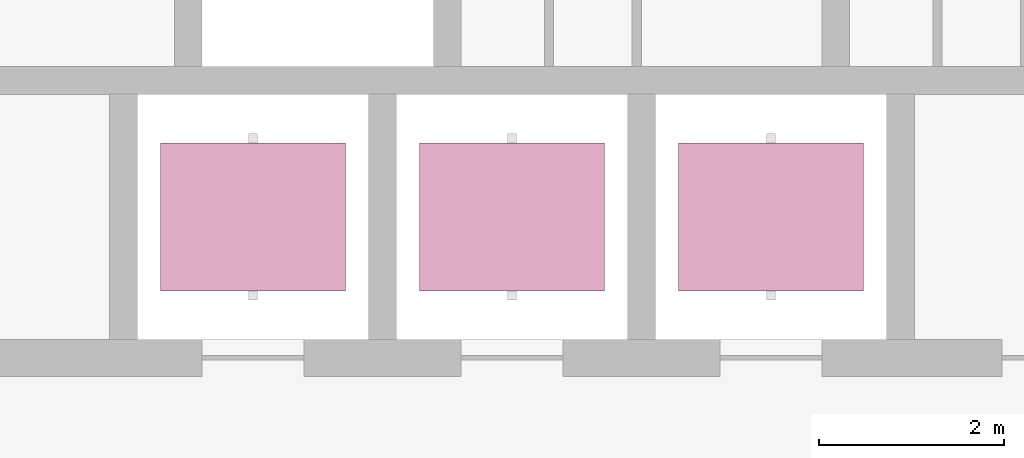
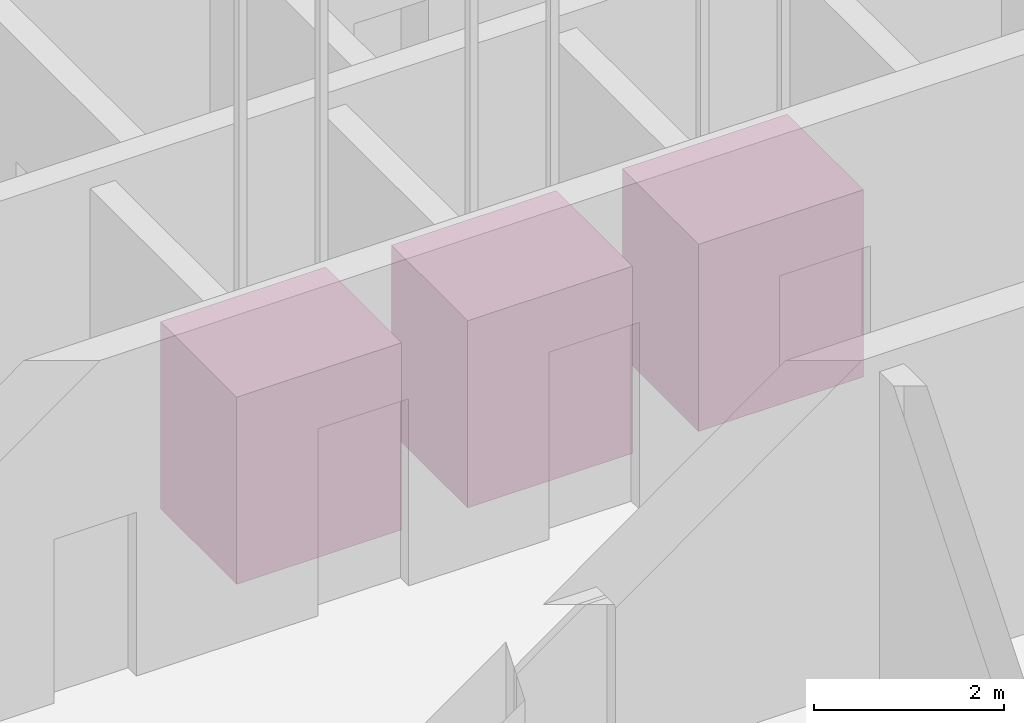
# One storey, part 14 of 20: 3 transport elements.
"""IFC4 building model written with IfcOpenShell, lengths in metres."""

from ifc_helpers import new_model, si_unit, direction, frame, origin, origin_2d, place, context, subcontext, project, spatial, rectangle, extrude, material, type_object, element, save


model = new_model("IFC4")

# Units and contexts
model_context = context("Model", 3, precision=1e-05, world=origin(), true_north=direction((0.0, 1.0)))
body_context = subcontext(model_context, "Body", "Model", "MODEL_VIEW")
ifc_project = project(units=[si_unit("LENGTHUNIT", "METRE"), si_unit("AREAUNIT", "SQUARE_METRE"), si_unit("VOLUMEUNIT", "CUBIC_METRE"), si_unit("PLANEANGLEUNIT", "RADIAN"), si_unit("MASSUNIT", "GRAM", prefix="KILO")], contexts=[model_context])

# Site, building, storey
site_placement = place(None, origin())
site = spatial("IfcSite", under=ifc_project, at=site_placement, CompositionType="ELEMENT")
building_placement = place(site_placement, origin())
building = spatial("IfcBuilding", under=site, at=building_placement, Name="Qingtian Harvest Tower", CompositionType="ELEMENT")
storey_placement = place(building_placement, frame((0.0, 0.0, 180.39990234375)))
storey = spatial("IfcBuildingStorey", under=building, at=storey_placement, Name="L38", CompositionType="ELEMENT", Elevation=180.39990234375)

# Transport elements
ifc_material = material(Name="Lift car, steel and glass", Category="steel")
transport_element_type = type_object("IfcTransportElementType", Name="Passenger lift", PredefinedType="ELEVATOR", material=ifc_material)
for number, where, z_axis, x_axis, name in (
    (1, (1.89990234375, 3.52490234375, 0.000244140625), (0.0, 0.0, 1.0), (1.0, 0.0, 0.0), "Lift PLC1"),
    (2, (4.699951171875, 3.52490234375, 0.000244140625), (0.0, 0.0, 1.0), (1.0, 0.0, 0.0), "Lift PLC2"),
    (3, (7.5, 3.52490234375, 0.000244140625), (0.0, 0.0, 1.0), (1.0, 0.0, 0.0), "Lift PLC3"),
):
    element("IfcTransportElement", number, at=place(storey_placement, frame(where, z_axis=z_axis, x_axis=x_axis)), inside=storey, type_object=transport_element_type, Name=name, PredefinedType="ELEVATOR", context=body_context, shape_type="SweptSolid", body=[
        extrude(rectangle(XDim=2.0, YDim=1.60009765625, at=origin_2d()), origin(), (0.0, 0.0, 1.0), 2.39990234375),
    ])

save(model, "model.ifc")
